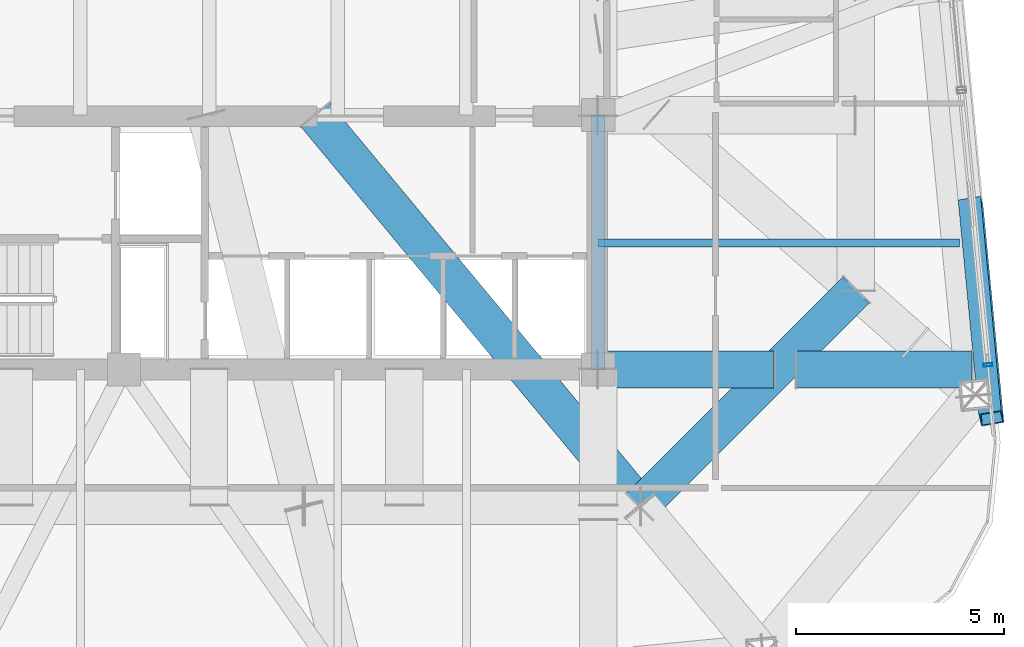
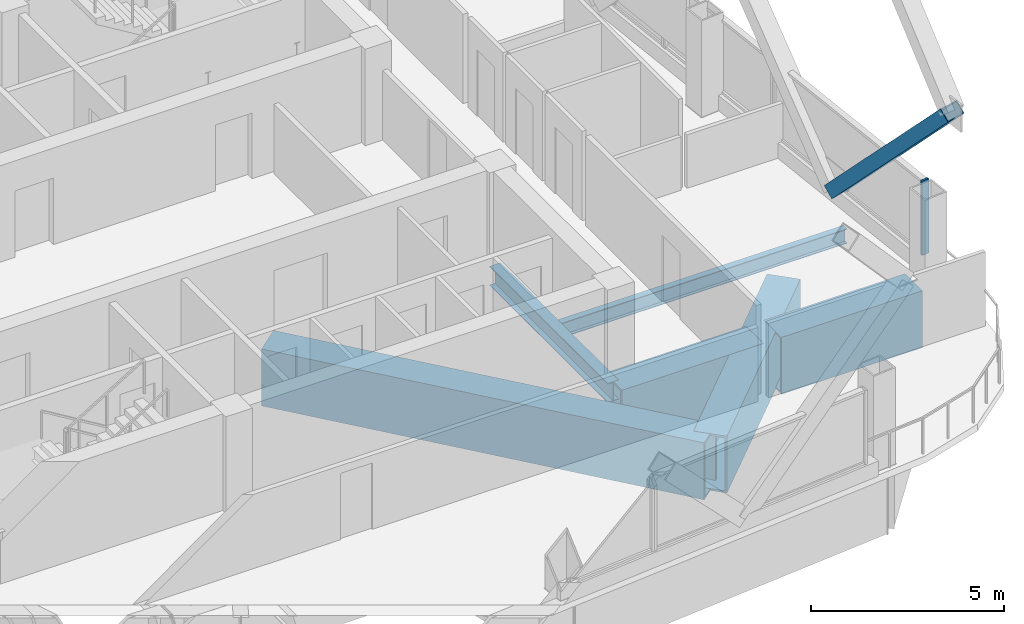
# One storey, part 15 of 37: 6 beams, 2 members, 1 element without a shape of its own.
"""IFC4 building model written with IfcOpenShell, lengths in metres."""

from ifc_helpers import new_model, si_unit, direction, frame, origin, origin_2d, place, context, subcontext, project, spatial, hollow_rectangle, i_section, extrude, material, layer, layer_set, material_profile, profile_set, type_object, element, aggregate, save


model = new_model("IFC4")

# Units and contexts
model_context = context("Model", 3, precision=1e-05, world=origin(), true_north=direction((0.0, 1.0)))
body_context = subcontext(model_context, "Body", "Model", "MODEL_VIEW")
ifc_project = project(units=[si_unit("LENGTHUNIT", "METRE"), si_unit("AREAUNIT", "SQUARE_METRE"), si_unit("VOLUMEUNIT", "CUBIC_METRE"), si_unit("PLANEANGLEUNIT", "RADIAN"), si_unit("MASSUNIT", "GRAM", prefix="KILO")], contexts=[model_context])

# Site, building, storey
site_placement = place(None, origin())
site = spatial("IfcSite", under=ifc_project, at=site_placement, CompositionType="ELEMENT")
building_placement = place(site_placement, origin())
building = spatial("IfcBuilding", under=site, at=building_placement, Name="Qhalaya Broadcast Tower", CompositionType="ELEMENT")
storey_placement = place(building_placement, frame((0.0, 0.0, 156.14990234375)))
storey = spatial("IfcBuildingStorey", under=building, at=storey_placement, Name="L45", CompositionType="ELEMENT", Elevation=156.14990234375)

# Beams
ifc_material_1 = material(Name="Structural Steel ASTM A572 Grade 50", Category="steel")
ifc_material_profile_1 = material_profile(ifc_material_1, hollow_rectangle(XDim=0.89990234375, YDim=1.800048828125, WallThickness=0.06005859375, at=origin_2d()), Name="BOX 900x1800x60")
ifc_profile_set_1 = profile_set([ifc_material_profile_1], Name="Structural Steel ASTM A572 Grade 50")
beam_type_1 = type_object("IfcBeamType", Name="Block Cantilever Transfer Box Girder TG1", PredefinedType="USERDEFINED", material=ifc_profile_set_1)
beam_1_placement = place(storey_placement, frame((10.3798828125, -12.0400390625, -1.119873046875), z_axis=(0.707123380132, 0.707090181851, 0.0), x_axis=(-0.707090181851, 0.707123380132, 0.0)))
element("IfcBeam", 1, at=beam_1_placement, inside=storey, type_object=beam_type_1, Name="L45 TG1 L45-TGL-04", ObjectType="GIRDER", PredefinedType="USERDEFINED", context=body_context, shape_type="SweptSolid", body=[
    extrude(hollow_rectangle(XDim=0.89990234375, YDim=1.800048828125, WallThickness=0.06005859375, at=origin_2d()), origin(), (0.0, 0.0, 1.0), 7.35400390625),
])
beam_2_placement = place(storey_placement, frame((9.375, -8.75, -1.119873046875), z_axis=(1.0, 0.0, 0.0), x_axis=(0.0, 1.0, 0.0)))
element("IfcBeam", 2, at=beam_2_placement, inside=storey, type_object=beam_type_1, Name="L45 TG1 L45-TGIY1E-1", ObjectType="GIRDER", PredefinedType="USERDEFINED", context=body_context, shape_type="SweptSolid", body=[
    extrude(hollow_rectangle(XDim=0.89990234375, YDim=1.800048828125, WallThickness=0.06005859375, at=origin_2d()), origin(), (0.0, 0.0, 1.0), 4.23828125),
])
beam_3_placement = place(storey_placement, frame((2.564208984375, -2.625, -1.119873046875), z_axis=(0.638727072231, -0.769433380611, 0.0), x_axis=(0.769433380611, 0.638727072231, 0.0)))
element("IfcBeam", 3, at=beam_3_placement, inside=storey, type_object=beam_type_1, Name="L45 Collinear Back-Span Transfer Box Girder 04", ObjectType="GIRDER", PredefinedType="USERDEFINED", context=body_context, shape_type="SweptSolid", body=[
    extrude(hollow_rectangle(XDim=0.89990234375, YDim=1.800048828125, WallThickness=0.06005859375, at=origin_2d()), origin(), (0.0, 0.0, 1.0), 12.236328125),
])
beam_4_placement = place(storey_placement, frame((14.15087890625, -8.75, -1.119873046875), z_axis=(1.0, 0.0, 0.0), x_axis=(0.0, 1.0, 0.0)))
element("IfcBeam", 4, at=beam_4_placement, inside=storey, type_object=beam_type_1, Name="L45 TG1 L45-PGYE1-OV1", ObjectType="GIRDER", PredefinedType="USERDEFINED", context=body_context, shape_type="SweptSolid", body=[
    extrude(hollow_rectangle(XDim=0.89990234375, YDim=1.800048828125, WallThickness=0.06005859375, at=origin_2d()), origin(), (0.0, 0.0, 1.0), 4.218017578125),
])
ifc_material_2 = material(Name="Structural Steel ASTM A992 Grade 50", Category="steel")
ifc_material_profile_2 = material_profile(ifc_material_2, i_section(OverallWidth=0.19189453125, OverallDepth=0.462890625, WebThickness=0.010498046875, FlangeThickness=0.017578125, at=origin_2d()), Name="W18X60")
ifc_profile_set_2 = profile_set([ifc_material_profile_2], Name="Structural Steel ASTM A992 Grade 50")
beam_type_2 = type_object("IfcBeamType", Name="Composite Floor Joist J03", PredefinedType="JOIST", material=ifc_profile_set_2)
beam_5_placement = place(storey_placement, frame((9.375, -5.699951171875, -0.451416015625), z_axis=(1.0, 0.0, 0.0), x_axis=(0.0, 1.0, 0.0)))
element("IfcBeam", 5, at=beam_5_placement, inside=storey, type_object=beam_type_2, Name="L45 J03 L45-JWE3E-1", PredefinedType="JOIST", context=body_context, shape_type="SweptSolid", body=[
    extrude(i_section(OverallWidth=0.19189453125, OverallDepth=0.462890625, WebThickness=0.010498046875, FlangeThickness=0.017578125, at=origin_2d()), origin(), (0.0, 0.0, 1.0), 8.7001953125),
])
ifc_material_profile_3 = material_profile(ifc_material_2, i_section(OverallWidth=0.323974609375, OverallDepth=0.612060546875, WebThickness=0.0126953125, FlangeThickness=0.01904296875, at=origin_2d()), Name="W24X104")
ifc_profile_set_3 = profile_set([ifc_material_profile_3], Name="Structural Steel ASTM A992 Grade 50")
beam_type_3 = type_object("IfcBeamType", Name="Core Frame Tie Beam B04", PredefinedType="BEAM", material=ifc_profile_set_3)
beam_6_placement = place(storey_placement, frame((9.375, -8.75, -0.52587890625), z_axis=(0.0, 1.0, 0.0), x_axis=(-1.0, 0.0, 0.0)))
element("IfcBeam", 6, at=beam_6_placement, inside=storey, type_object=beam_type_3, Name="L45 B04 L45-CCS2", PredefinedType="BEAM", context=body_context, shape_type="SweptSolid", body=[
    extrude(i_section(OverallWidth=0.323974609375, OverallDepth=0.612060546875, WebThickness=0.0126953125, FlangeThickness=0.01904296875, at=origin_2d()), origin(), (0.0, 0.0, 1.0), 6.125),
])

# Member
ifc_material_profile_4 = material_profile(ifc_material_1, hollow_rectangle(XDim=0.39990234375, YDim=0.550048828125, WallThickness=0.02490234375, at=origin_2d()), Name="BOX 400x550x25")
ifc_profile_set_4 = profile_set([ifc_material_profile_4], Name="Structural Steel ASTM A572 Grade 50")
member_type_1 = type_object("IfcMemberType", Name="Exoskeleton Diamond Diagonal Mid-High EX3", PredefinedType="BRACE", material=ifc_profile_set_4)
member_1_placement = place(storey_placement, frame((18.346923828125, -4.76708984375, 0.360107421875), z_axis=(0.066504325889, -0.690631901239, 0.720142174594), x_axis=(-0.164113379892, 0.704339295697, 0.690632286443)))
element("IfcMember", 7, at=member_1_placement, inside=storey, type_object=member_type_1, Name="B4 Exoskeleton Diamond Brace E1-D1", PredefinedType="BRACE", context=body_context, shape_type="SweptSolid", body=[
    extrude(hollow_rectangle(XDim=0.39990234375, YDim=0.550048828125, WallThickness=0.02490234375, at=origin_2d()), origin(), (0.0, 0.0, 1.0), 7.470703125),
])

# Curtain wall, member
ifc_material_3 = material(Name="Fired Architectural Terracotta", Category="masonry")
ifc_layer = layer(ifc_material_3, 0.219970703125, Name="Fired Architectural Terracotta")
ifc_layer_set = layer_set([ifc_layer], Name="Fired Architectural Terracotta")
curtain_wall_type = type_object("IfcCurtainWallType", Name="Block-Cap Unitised Terracotta Spandrel Wall CW-07", PredefinedType="NOTDEFINED", material=ifc_layer_set)
curtain_wall_placement = place(storey_placement, origin())
curtain_wall = element("IfcCurtainWall", 8, at=curtain_wall_placement, inside=storey, type_object=curtain_wall_type, Name="L45 Unitised Curtain Wall L45-CW-E1", PredefinedType="NOTDEFINED")
ifc_material_4 = material(Name="Anodised Aluminium 6063-T6", Category="aluminium")
ifc_material_profile_5 = material_profile(ifc_material_4, hollow_rectangle(XDim=0.074951171875, YDim=0.219970703125, WallThickness=0.00390625, at=origin_2d()), Name="ALU-MUL 75x220x4")
ifc_profile_set_5 = profile_set([ifc_material_profile_5], Name="Anodised Aluminium 6063-T6")
member_type_2 = type_object("IfcMemberType", Name="Unitised Curtain-Wall Mullion M01", PredefinedType="MULLION", material=ifc_profile_set_5)
member_2_placement = place(storey_placement, frame((18.76025390625, -8.64111328125, 0.47998046875), z_axis=(0.0, 0.0, 1.0), x_axis=(-0.095842362816, 0.995396524753, 0.0)))
member_2 = element("IfcMember", 9, at=member_2_placement, type_object=member_type_2, Name="CW-07 mullion 1", PredefinedType="MULLION", context=body_context, shape_type="SweptSolid", body=[
    extrude(hollow_rectangle(XDim=0.074951171875, YDim=0.219970703125, WallThickness=0.00390625, at=origin_2d()), origin(), (0.0, 0.0, 1.0), 2.35009765625),
])
aggregate(curtain_wall, [member_2])

save(model, "model.ifc")
